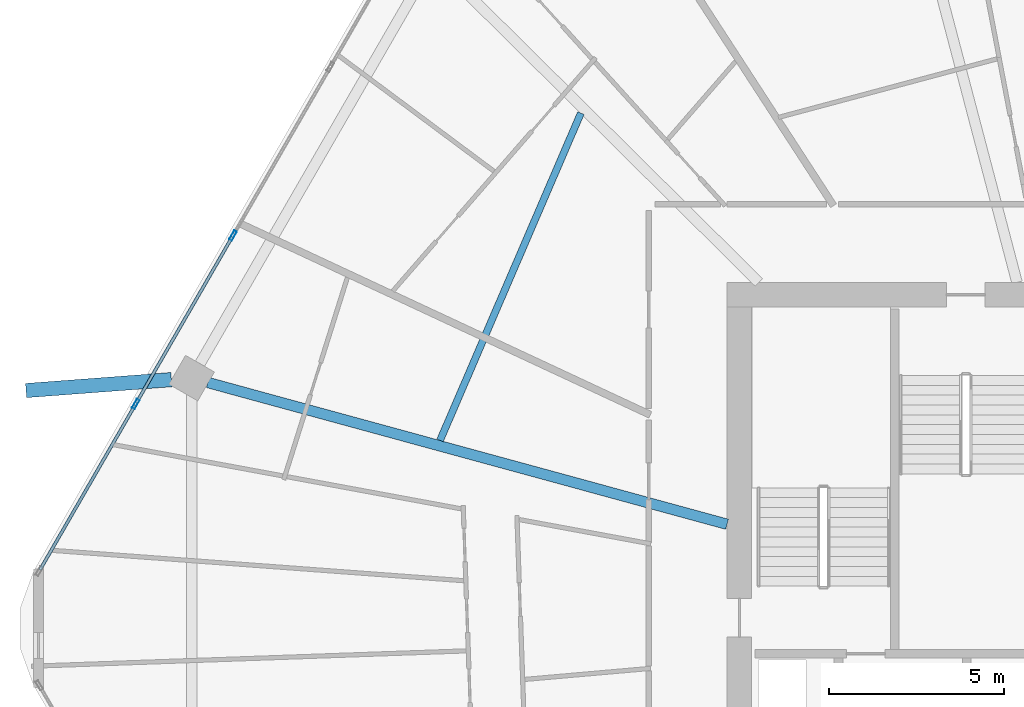
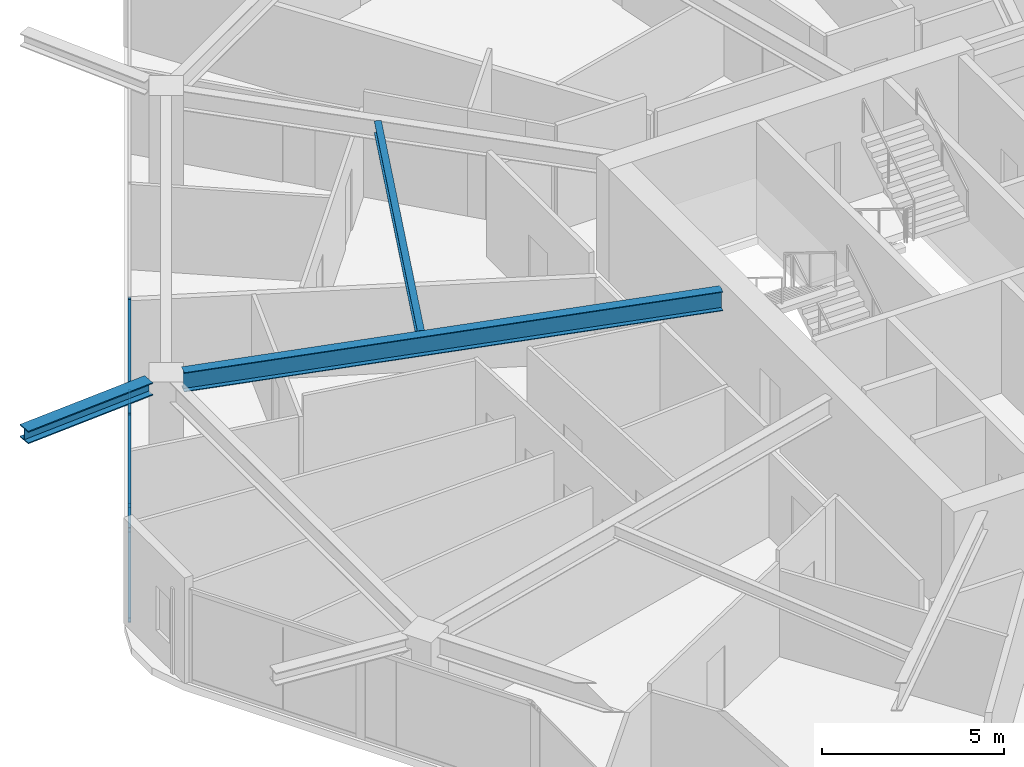
# One storey, part 11 of 27: 6 members, 3 beams, 1 element without a shape of its own.
"""IFC4 building model written with IfcOpenShell, lengths in metres."""

from ifc_helpers import new_model, si_unit, direction, frame, origin, origin_2d, place, context, subcontext, project, spatial, hollow_rectangle, i_section, extrude, material, material_profile, profile_set, type_object, element, aggregate, save


model = new_model("IFC4")

# Units and contexts
model_context = context("Model", 3, precision=1e-05, world=origin(), true_north=direction((0.0, 1.0)))
body_context = subcontext(model_context, "Body", "Model", "MODEL_VIEW")
ifc_project = project(units=[si_unit("LENGTHUNIT", "METRE"), si_unit("AREAUNIT", "SQUARE_METRE"), si_unit("VOLUMEUNIT", "CUBIC_METRE"), si_unit("PLANEANGLEUNIT", "RADIAN"), si_unit("MASSUNIT", "GRAM", prefix="KILO")], contexts=[model_context])

# Site, building, storey
site_placement = place(None, origin())
site = spatial("IfcSite", under=ifc_project, at=site_placement, CompositionType="ELEMENT")
building_placement = place(site_placement, origin())
building = spatial("IfcBuilding", under=site, at=building_placement, Name="Zuhravey Tower", CompositionType="ELEMENT")
storey_placement = place(building_placement, frame((0.0, 0.0, 218.800048828125)))
storey = spatial("IfcBuildingStorey", under=building, at=storey_placement, Name="L55", CompositionType="ELEMENT", Elevation=218.800048828125)

# Curtain wall, members
ifc_material_1 = material(Name="Thermally broken anodised aluminium", Category="aluminium")
curtain_wall_type = type_object("IfcCurtainWallType", Name="Zone 1-2 Residential Curtain Wall CW3", PredefinedType="NOTDEFINED", material=ifc_material_1)
curtain_wall_placement = place(storey_placement, origin())
curtain_wall = element("IfcCurtainWall", 1, at=curtain_wall_placement, inside=storey, type_object=curtain_wall_type, Name="L55 CW3 CW-L55-F3-1", PredefinedType="NOTDEFINED")
ifc_material_2 = material(Name="Anodised aluminium", Category="aluminium")
ifc_material_profile_1 = material_profile(ifc_material_2, hollow_rectangle(XDim=0.090087890625, YDim=0.284912109375, WallThickness=0.0048828125, at=origin_2d()), Name="ALU-RHS-90x285x5")
ifc_profile_set_1 = profile_set([ifc_material_profile_1], Name="Anodised aluminium")
member_type_1 = type_object("IfcMemberType", Name="Curtain-Wall Mullion 90x180", PredefinedType="MULLION", material=ifc_profile_set_1)
member_1_placement = place(storey_placement, frame((8.300537109375, 38.38916015625, 0.0), z_axis=(0.0, 0.0, 1.0), x_axis=(-0.866025138215, 0.500000459979, 0.0)))
member_1 = element("IfcMember", 2, at=member_1_placement, type_object=member_type_1, Name="CW3 mullion 2", PredefinedType="MULLION", context=body_context, shape_type="SweptSolid", body=[
    extrude(hollow_rectangle(XDim=0.090087890625, YDim=0.284912109375, WallThickness=0.0048828125, at=origin_2d()), origin(), (0.0, 0.0, 1.0), 3.1220703125),
])
member_2_placement = place(storey_placement, frame((11.07275390625, 43.190673828125, 0.0), z_axis=(0.0, 0.0, 1.0), x_axis=(-0.866025138215, 0.500000459979, 0.0)))
member_2 = element("IfcMember", 3, at=member_2_placement, type_object=member_type_1, Name="CW3 mullion 3", PredefinedType="MULLION", context=body_context, shape_type="SweptSolid", body=[
    extrude(hollow_rectangle(XDim=0.090087890625, YDim=0.284912109375, WallThickness=0.0048828125, at=origin_2d()), origin(), (0.0, 0.0, 1.0), 3.1220703125),
])
ifc_material_profile_2 = material_profile(ifc_material_2, hollow_rectangle(XDim=0.090087890625, YDim=0.14990234375, WallThickness=0.0048828125, at=origin_2d()), Name="ALU-RHS-90x150x5")
ifc_profile_set_2 = profile_set([ifc_material_profile_2], Name="Anodised aluminium")
member_type_2 = type_object("IfcMemberType", Name="Curtain-Wall Transom 90x150", PredefinedType="USERDEFINED", material=ifc_profile_set_2)
member_3_placement = place(storey_placement, frame((5.5732421875, 33.66552734375, 0.044921875), z_axis=(0.499993332629, 0.866029253159, 0.0), x_axis=(-0.866029253159, 0.499993332629, 0.0)))
member_3 = element("IfcMember", 4, at=member_3_placement, type_object=member_type_2, Name="CW3 transom 1.1", ObjectType="TRANSOM", PredefinedType="USERDEFINED", context=body_context, shape_type="SweptSolid", body=[
    extrude(hollow_rectangle(XDim=0.090087890625, YDim=0.14990234375, WallThickness=0.0048828125, at=origin_2d()), origin(), (0.0, 0.0, 1.0), 5.4091796875),
])
member_4_placement = place(storey_placement, frame((5.5732421875, 33.66552734375, 3.076904296875), z_axis=(0.499993332629, 0.866029253159, 0.0), x_axis=(-0.866029253159, 0.499993332629, 0.0)))
member_4 = element("IfcMember", 5, at=member_4_placement, type_object=member_type_2, Name="CW3 transom 1.2", ObjectType="TRANSOM", PredefinedType="USERDEFINED", context=body_context, shape_type="SweptSolid", body=[
    extrude(hollow_rectangle(XDim=0.090087890625, YDim=0.14990234375, WallThickness=0.0048828125, at=origin_2d()), origin(), (0.0, 0.0, 1.0), 5.4091796875),
])
member_5_placement = place(storey_placement, frame((8.322998046875, 38.427978515625, 0.044921875), z_axis=(0.49996138257, 0.86604769842, 0.0), x_axis=(-0.86604769842, 0.49996138257, 0.0)))
member_5 = element("IfcMember", 6, at=member_5_placement, type_object=member_type_2, Name="CW3 transom 2.1", ObjectType="TRANSOM", PredefinedType="USERDEFINED", context=body_context, shape_type="SweptSolid", body=[
    extrude(hollow_rectangle(XDim=0.090087890625, YDim=0.14990234375, WallThickness=0.0048828125, at=origin_2d()), origin(), (0.0, 0.0, 1.0), 5.45458984375),
])
member_6_placement = place(storey_placement, frame((8.322998046875, 38.427978515625, 3.076904296875), z_axis=(0.49996138257, 0.86604769842, 0.0), x_axis=(-0.86604769842, 0.49996138257, 0.0)))
member_6 = element("IfcMember", 7, at=member_6_placement, type_object=member_type_2, Name="CW3 transom 2.2", ObjectType="TRANSOM", PredefinedType="USERDEFINED", context=body_context, shape_type="SweptSolid", body=[
    extrude(hollow_rectangle(XDim=0.090087890625, YDim=0.14990234375, WallThickness=0.0048828125, at=origin_2d()), origin(), (0.0, 0.0, 1.0), 5.45458984375),
])
aggregate(curtain_wall, [member_1, member_2, member_3, member_4, member_5, member_6])

# Beams
ifc_material_3 = material(Name="Steel SM460", Category="steel")
ifc_material_profile_3 = material_profile(ifc_material_3, i_section(OverallWidth=0.406982421875, OverallDepth=0.427978515625, WebThickness=0.02001953125, FlangeThickness=0.034912109375, at=origin_2d()), Name="H-428x407x20x35")
ifc_profile_set_3 = profile_set([ifc_material_profile_3], Name="Steel SM460")
beam_type_1 = type_object("IfcBeamType", Name="Exoskeleton Node Tie Beam H428x407", PredefinedType="BEAM", material=ifc_profile_set_3)
beam_1_placement = place(storey_placement, frame((9.315185546875, 39.083251953125, 3.3359375), z_axis=(-0.997197335543, -0.074816268185, 0.0), x_axis=(0.074816268185, -0.997197335543, 0.0)))
element("IfcBeam", 8, at=beam_1_placement, inside=storey, type_object=beam_type_1, Name="L55 Exoskeleton Node Tie NT1-06", PredefinedType="BEAM", context=body_context, shape_type="SweptSolid", body=[
    extrude(i_section(OverallWidth=0.406982421875, OverallDepth=0.427978515625, WebThickness=0.02001953125, FlangeThickness=0.034912109375, at=origin_2d()), origin(), (0.0, 0.0, 1.0), 4.15087890625),
])
ifc_material_4 = material(Name="Steel SM355", Category="steel")
ifc_material_profile_4 = material_profile(ifc_material_4, i_section(OverallWidth=0.300048828125, OverallDepth=0.64990234375, WebThickness=0.012939453125, FlangeThickness=0.02197265625, at=origin_2d()), Name="H-650x300x13x22")
ifc_profile_set_4 = profile_set([ifc_material_profile_4], Name="Steel SM355")
beam_type_2 = type_object("IfcBeamType", Name="Radial Primary Girder H650x300", PredefinedType="BEAM", material=ifc_profile_set_4)
beam_2_placement = place(storey_placement, frame((25.14697265625, 34.96240234375, 3.224853515625), z_axis=(-0.964701703464, 0.263345065139, 0.0), x_axis=(-0.263345065139, -0.964701703464, 0.0)))
element("IfcBeam", 9, at=beam_2_placement, inside=storey, type_object=beam_type_2, Name="L55 RG2 BM-L55-RAD-06", PredefinedType="BEAM", context=body_context, shape_type="SweptSolid", body=[
    extrude(i_section(OverallWidth=0.300048828125, OverallDepth=0.64990234375, WebThickness=0.012939453125, FlangeThickness=0.02197265625, at=origin_2d()), origin(), (0.0, 0.0, 1.0), 15.334716796875),
])
ifc_material_profile_5 = material_profile(ifc_material_4, i_section(OverallWidth=0.199951171875, OverallDepth=0.39990234375, WebThickness=0.008056640625, FlangeThickness=0.012939453125, at=origin_2d()), Name="H-400x200x8x13")
ifc_profile_set_5 = profile_set([ifc_material_profile_5], Name="Steel SM355")
beam_type_3 = type_object("IfcBeamType", Name="Secondary Floor Joist H400x200", PredefinedType="JOIST", material=ifc_profile_set_5)
beam_3_placement = place(storey_placement, frame((20.982421875, 46.676025390625, 3.349853515625), z_axis=(-0.395265853487, -0.918566766799, 0.0), x_axis=(0.918566766799, -0.395265853487, 0.0)))
element("IfcBeam", 10, at=beam_3_placement, inside=storey, type_object=beam_type_3, Name="L55 SJ2 BM-L55-SJ-05-1", PredefinedType="JOIST", context=body_context, shape_type="SweptSolid", body=[
    extrude(i_section(OverallWidth=0.199951171875, OverallDepth=0.39990234375, WebThickness=0.008056640625, FlangeThickness=0.012939453125, at=origin_2d()), origin(), (0.0, 0.0, 1.0), 10.150146484375),
])

save(model, "model.ifc")
